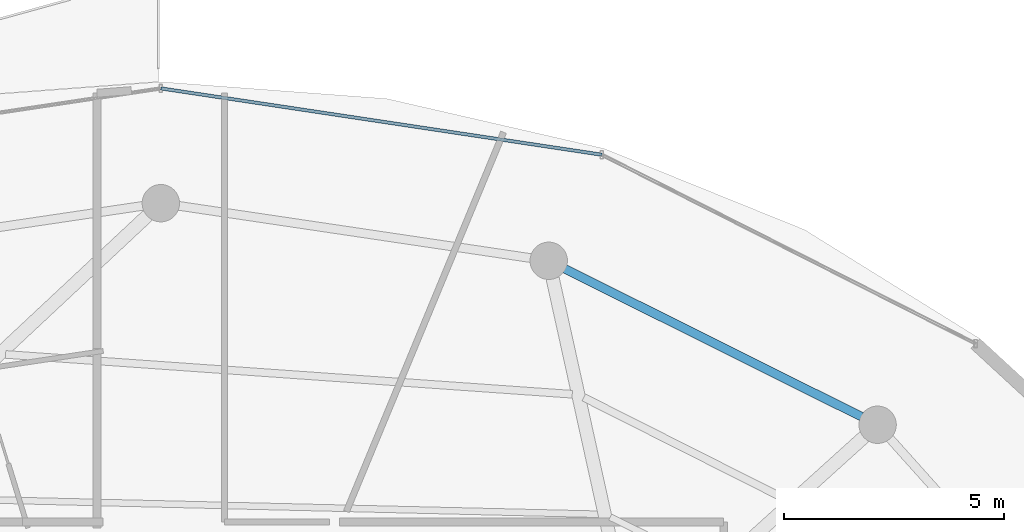
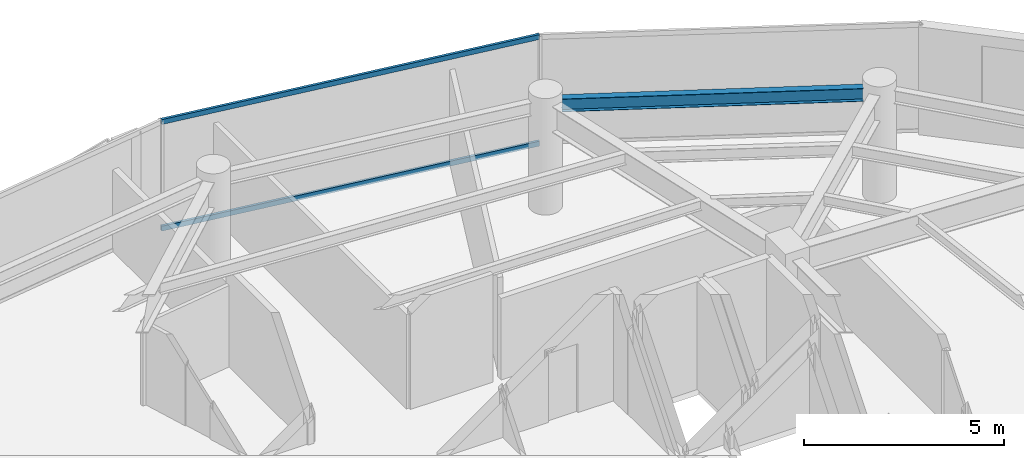
# One storey, part 19 of 30: 2 members, 1 beam, 1 element without a shape of its own.
"""IFC4 building model written with IfcOpenShell, lengths in metres."""

from ifc_helpers import new_model, si_unit, direction, frame, origin, origin_2d, place, context, subcontext, project, spatial, hollow_rectangle, i_section, extrude, material, material_profile, profile_set, type_object, element, aggregate, save


model = new_model("IFC4")

# Units and contexts
model_context = context("Model", 3, precision=1e-05, world=origin(), true_north=direction((0.0, 1.0)))
body_context = subcontext(model_context, "Body", "Model", "MODEL_VIEW")
ifc_project = project(units=[si_unit("LENGTHUNIT", "METRE"), si_unit("AREAUNIT", "SQUARE_METRE"), si_unit("VOLUMEUNIT", "CUBIC_METRE"), si_unit("PLANEANGLEUNIT", "RADIAN"), si_unit("MASSUNIT", "GRAM", prefix="KILO")], contexts=[model_context])

# Site, building, storey
site_placement = place(None, origin())
site = spatial("IfcSite", under=ifc_project, at=site_placement, CompositionType="ELEMENT")
building_placement = place(site_placement, origin())
building = spatial("IfcBuilding", under=site, at=building_placement, Name="Vorneva Point Tower", CompositionType="ELEMENT")
storey_placement = place(building_placement, frame((0.0, 0.0, 234.25)))
storey = spatial("IfcBuildingStorey", under=building, at=storey_placement, Name="L63", CompositionType="ELEMENT", Elevation=234.25)

# Beam
ifc_material_1 = material(Name="Steel S355", Category="steel")
ifc_material_profile_1 = material_profile(ifc_material_1, i_section(OverallWidth=0.198974609375, OverallDepth=0.39599609375, WebThickness=0.007080078125, FlangeThickness=0.010986328125, at=origin_2d()), Name="40B1")
ifc_profile_set_1 = profile_set([ifc_material_profile_1], Name="Steel S355")
beam_type = type_object("IfcBeamType", Name="BM-SPN-40B1", PredefinedType="SPANDREL", material=ifc_profile_set_1)
beam_placement = place(storey_placement, frame((53.931884765625, 38.34521484375, 3.092041015625), z_axis=(-0.894932011528, 0.446202526599, 0.0), x_axis=(-0.446202526599, -0.894932011528, 0.0)))
element("IfcBeam", 1, at=beam_placement, inside=storey, type_object=beam_type, Name="L63 Perimeter Spandrel Ring Beam 03", PredefinedType="SPANDREL", context=body_context, shape_type="SweptSolid", body=[
    extrude(i_section(OverallWidth=0.198974609375, OverallDepth=0.39599609375, WebThickness=0.007080078125, FlangeThickness=0.010986328125, at=origin_2d()), origin(), (0.0, 0.0, 1.0), 7.535888671875),
])

# Curtain wall, members
ifc_material_2 = material(Name="Pale anodised aluminium", Category="aluminium")
curtain_wall_type = type_object("IfcCurtainWallType", Name="CW-RES-SYS", PredefinedType="NOTDEFINED", material=ifc_material_2)
curtain_wall_placement = place(storey_placement, origin())
curtain_wall = element("IfcCurtainWall", 2, at=curtain_wall_placement, inside=storey, type_object=curtain_wall_type, Name="L63 Unitised Curtain Wall CW-L63-R02", PredefinedType="NOTDEFINED")
ifc_material_profile_2 = material_profile(ifc_material_2, hollow_rectangle(XDim=0.074951171875, YDim=0.14990234375, WallThickness=0.00390625, at=origin_2d()), Name="AL-TRN 150x75x4")
ifc_profile_set_2 = profile_set([ifc_material_profile_2], Name="Pale anodised aluminium")
member_type = type_object("IfcMemberType", Name="CW-TRN-150", PredefinedType="USERDEFINED", material=ifc_profile_set_2)
member_1_placement = place(storey_placement, frame((48.0263671875, 44.302001953125, 0.02001953125), z_axis=(-0.988876929856, 0.148736066907, 0.0), x_axis=(-0.148736066907, -0.988876929856, 0.0)))
member_1 = element("IfcMember", 3, at=member_1_placement, type_object=member_type, Name="CW-L63-R02 Transom 02.1", ObjectType="TRANSOM", PredefinedType="USERDEFINED", context=body_context, shape_type="SweptSolid", body=[
    extrude(hollow_rectangle(XDim=0.074951171875, YDim=0.14990234375, WallThickness=0.00390625, at=origin_2d()), origin(), (0.0, 0.0, 1.0), 10.13916015625),
])
member_2_placement = place(storey_placement, frame((48.0263671875, 44.302001953125, 3.27001953125), z_axis=(-0.988876929856, 0.148736066907, 0.0), x_axis=(-0.148736066907, -0.988876929856, 0.0)))
member_2 = element("IfcMember", 4, at=member_2_placement, type_object=member_type, Name="CW-L63-R02 Transom 02.2", ObjectType="TRANSOM", PredefinedType="USERDEFINED", context=body_context, shape_type="SweptSolid", body=[
    extrude(hollow_rectangle(XDim=0.074951171875, YDim=0.14990234375, WallThickness=0.00390625, at=origin_2d()), origin(), (0.0, 0.0, 1.0), 10.13916015625),
])
aggregate(curtain_wall, [member_1, member_2])

save(model, "model.ifc")
